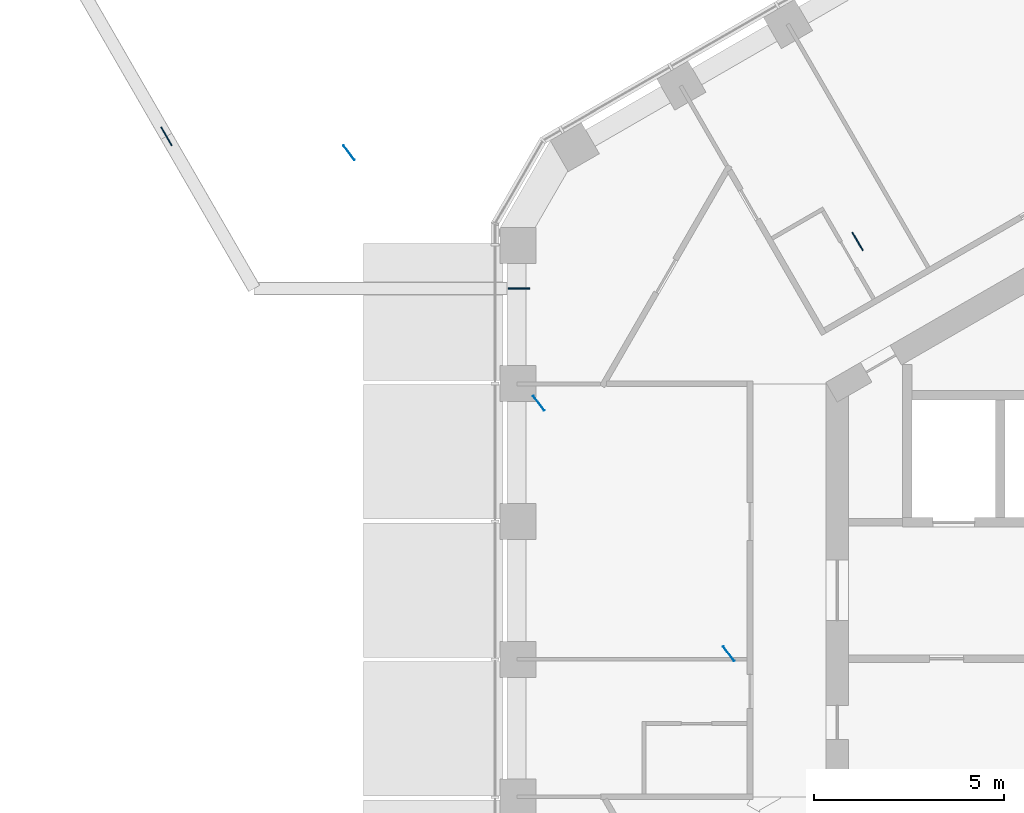
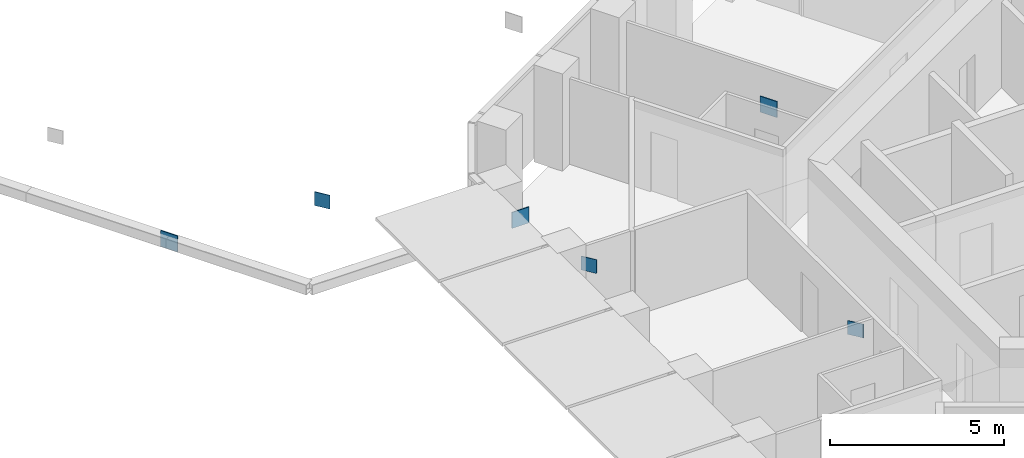
# One storey, part 16 of 21: 6 discrete accessories.
"""IFC4 building model written with IfcOpenShell, lengths in metres."""

from ifc_helpers import new_model, si_unit, direction, frame, origin, origin_2d, place, context, subcontext, project, spatial, rectangle, extrude, material, layer, layer_set, type_object, element, save


model = new_model("IFC4")

# Units and contexts
model_context = context("Model", 3, precision=1e-05, world=origin(), true_north=direction((0.0, 1.0)))
body_context = subcontext(model_context, "Body", "Model", "MODEL_VIEW")
ifc_project = project(units=[si_unit("LENGTHUNIT", "METRE"), si_unit("AREAUNIT", "SQUARE_METRE"), si_unit("VOLUMEUNIT", "CUBIC_METRE"), si_unit("PLANEANGLEUNIT", "RADIAN"), si_unit("MASSUNIT", "GRAM", prefix="KILO")], contexts=[model_context])

# Site, building, storey
site_placement = place(None, origin())
site = spatial("IfcSite", under=ifc_project, at=site_placement, CompositionType="ELEMENT")
building_placement = place(site_placement, origin())
building = spatial("IfcBuilding", under=site, at=building_placement, Name="Ayvan Gate Tower", CompositionType="ELEMENT")
storey_placement = place(building_placement, frame((0.0, 0.0, 183.300048828125)))
storey = spatial("IfcBuildingStorey", under=building, at=storey_placement, Name="L49", CompositionType="ELEMENT", Elevation=183.300048828125)

# Discrete accessories
ifc_material = material(Name="Steel S460ML", Category="steel")
ifc_layer_1 = layer(ifc_material, 0.02001953125)
ifc_layer_set_1 = layer_set([ifc_layer_1], Name="Steel S460ML")
discrete_accessory_type_1 = type_object("IfcDiscreteAccessoryType", Name="Gusset plate 20 mm", PredefinedType="BRACKET", material=ifc_layer_set_1)
for number, where, z_axis, x_axis, name in (
    (1, (-12.0625, -1.672119140625, 2.43505859375), (0.0, 0.0, 1.0), (-0.604022020427, 0.796967627221, 0.0), "Gusset plate SBT4-4-D-2"),
    (2, (-17.072265625, 4.93798828125, 2.43505859375), (0.0, 0.0, 1.0), (-0.604022020427, 0.796967627221, 0.0), "Gusset plate SBT4-4-D-3"),
    (3, (-22.082275390625, 11.548095703125, 2.43505859375), (0.0, 0.0, 1.0), (-0.604022020427, 0.796967627221, 0.0), "Gusset plate SBT4-4-D-5"),
):
    element("IfcDiscreteAccessory", number, at=place(storey_placement, frame(where, z_axis=z_axis, x_axis=x_axis)), inside=storey, type_object=discrete_accessory_type_1, Name=name, PredefinedType="BRACKET", context=body_context, shape_type="SweptSolid", body=[
        extrude(rectangle(XDim=0.47998046875, YDim=0.02001953125, at=origin_2d()), origin(), (0.0, 0.0, 1.0), 0.47998046875),
    ])
ifc_layer_2 = layer(ifc_material, 0.030029296875)
ifc_layer_set_2 = layer_set([ifc_layer_2], Name="Steel S460ML")
discrete_accessory_type_2 = type_object("IfcDiscreteAccessoryType", Name="Gusset plate 30 mm", PredefinedType="BRACKET", material=ifc_layer_set_2)
for number, where, z_axis, x_axis, name in (
    (4, (-8.66162109375, 9.2021484375, 2.39501953125), (0.0, 0.0, 1.0), (-0.5, 0.866025403784, 0.0), "Gusset plate SBT4-3-D-2"),
    (5, (-17.593017578125, 7.96337890625, 2.39501953125), (0.0, 0.0, 1.0), (1.0, 0.0, 0.0), "Gusset plate SBX4-A-D-1"),
    (6, (-26.896484375, 11.97607421875, 2.39501953125), (0.0, 0.0, 1.0), (-0.5, 0.866025403784, 0.0), "Gusset plate SBX4-A-D-2"),
):
    element("IfcDiscreteAccessory", number, at=place(storey_placement, frame(where, z_axis=z_axis, x_axis=x_axis)), inside=storey, type_object=discrete_accessory_type_2, Name=name, PredefinedType="BRACKET", context=body_context, shape_type="SweptSolid", body=[
        extrude(rectangle(XDim=0.56005859375, YDim=0.030029296875, at=origin_2d()), origin(), (0.0, 0.0, 1.0), 0.56005859375),
    ])

save(model, "model.ifc")
